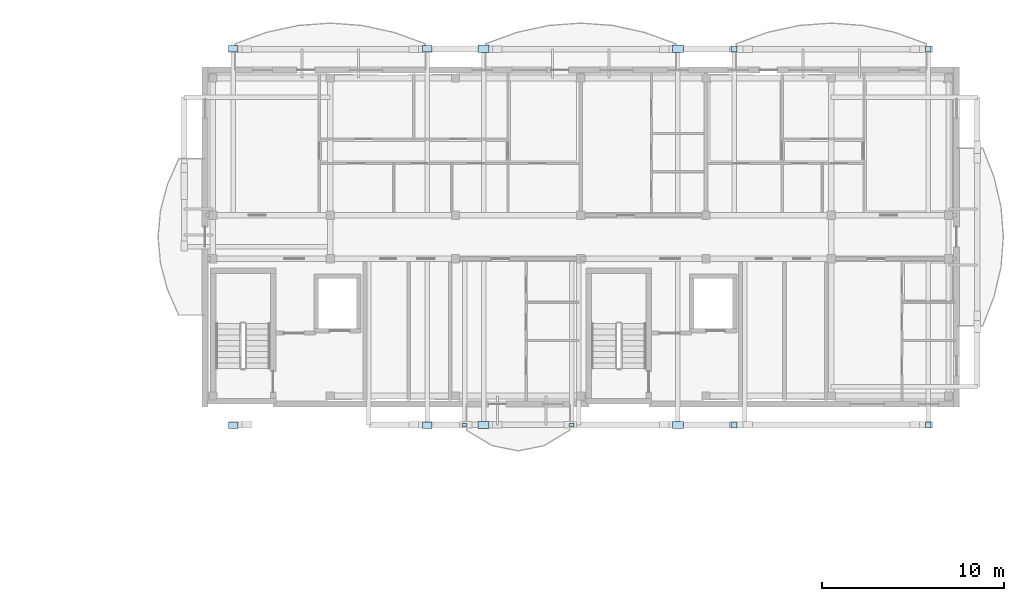
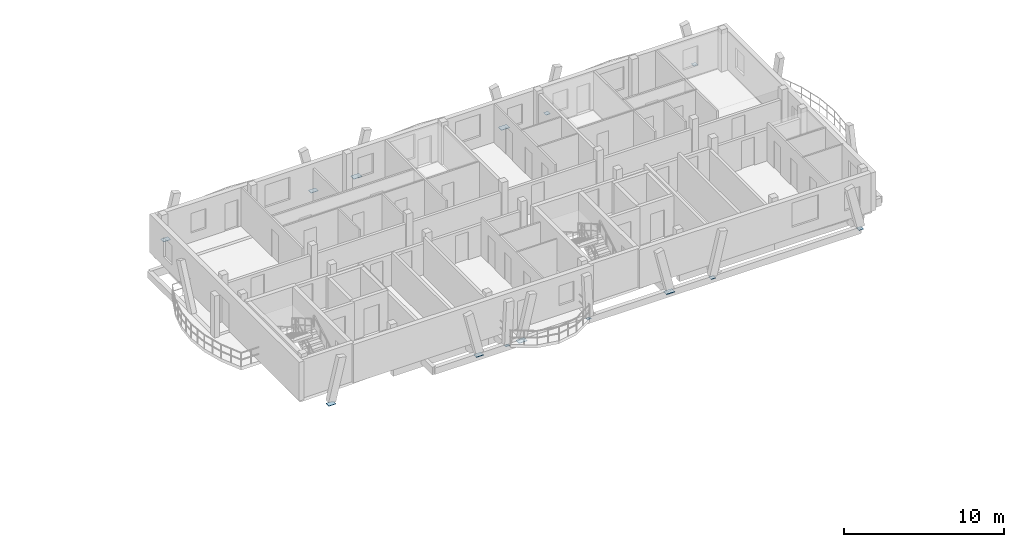
# One storey, part 13 of 42: 14 plates.
"""IFC4 building model written with IfcOpenShell, lengths in metres."""

from ifc_helpers import new_model, si_unit, direction, frame, origin, origin_2d, place, context, subcontext, project, spatial, rectangle, extrude, material, layer, layer_set, type_object, element, save


model = new_model("IFC4")

# Units and contexts
model_context = context("Model", 3, precision=1e-05, world=origin(), true_north=direction((0.0, 1.0)))
body_context = subcontext(model_context, "Body", "Model", "MODEL_VIEW")
ifc_project = project(units=[si_unit("LENGTHUNIT", "METRE"), si_unit("AREAUNIT", "SQUARE_METRE"), si_unit("VOLUMEUNIT", "CUBIC_METRE"), si_unit("PLANEANGLEUNIT", "RADIAN"), si_unit("MASSUNIT", "GRAM", prefix="KILO")], contexts=[model_context])

# Site, building, storey
site_placement = place(None, origin())
site = spatial("IfcSite", under=ifc_project, at=site_placement, CompositionType="ELEMENT")
building_placement = place(site_placement, origin())
building = spatial("IfcBuilding", under=site, at=building_placement, Name="Zavelmont Quarter", CompositionType="ELEMENT")
storey_placement = place(building_placement, frame((0.0, 0.0, 24.0)))
storey = spatial("IfcBuildingStorey", under=building, at=storey_placement, Name="L07", CompositionType="ELEMENT", Elevation=24.0)

# Plates
ifc_material = material(Name="Steel S355", Category="steel")
ifc_layer_1 = layer(ifc_material, 0.02001953125)
ifc_layer_set_1 = layer_set([ifc_layer_1], Name="Steel S355")
plate_type_1 = type_object("IfcPlateType", Name="NP01", PredefinedType="SHEET", material=ifc_layer_set_1)
for number, where, z_axis, x_axis, name in (
    (1, (140.89990234375, 96.43798828125, -0.2099609375), (0.0, 0.0, 1.0), (1.0, 0.0, 0.0), "L07 steel connection plate NP01 at 21/P"),
    (2, (146.800048828125, 96.43798828125, -0.2099609375), (0.0, 0.0, 1.0), (1.0, 0.0, 0.0), "L07 steel connection plate NP01 at 22/P"),
):
    element("IfcPlate", number, at=place(storey_placement, frame(where, z_axis=z_axis, x_axis=x_axis)), inside=storey, type_object=plate_type_1, Name=name, PredefinedType="SHEET", context=body_context, shape_type="SweptSolid", body=[
        extrude(rectangle(XDim=0.280029296875, YDim=0.179931640625, at=origin_2d()), origin(), (0.0, 0.0, 1.0), 0.02001953125),
    ])
ifc_layer_2 = layer(ifc_material, 0.028076171875)
ifc_layer_set_2 = layer_set([ifc_layer_2], Name="Steel S355")
plate_type_2 = type_object("IfcPlateType", Name="NP04", PredefinedType="SHEET", material=ifc_layer_set_2)
for number, where, z_axis, x_axis, name in (
    (3, (128.15087890625, 117.162109375, -0.2138671875), (0.0, 0.0, 1.0), (1.0, 0.0, 0.0), "L07 steel connection plate NP04 at 19/S"),
    (4, (138.84912109375, 117.162109375, -0.2138671875), (0.0, 0.0, 1.0), (1.0, 0.0, 0.0), "L07 steel connection plate NP04 at 21/S"),
    (5, (128.15087890625, 96.43798828125, -0.2138671875), (0.0, 0.0, 1.0), (1.0, 0.0, 0.0), "L07 steel connection plate NP04 at 19/P"),
    (6, (138.84912109375, 96.43798828125, -0.2138671875), (0.0, 0.0, 1.0), (1.0, 0.0, 0.0), "L07 steel connection plate NP04 at 21/P"),
):
    element("IfcPlate", number, at=place(storey_placement, frame(where, z_axis=z_axis, x_axis=x_axis)), inside=storey, type_object=plate_type_2, Name=name, PredefinedType="SHEET", context=body_context, shape_type="SweptSolid", body=[
        extrude(rectangle(XDim=0.52001953125, YDim=0.360107421875, at=origin_2d()), origin(), (0.0, 0.0, 1.0), 0.028076171875),
    ])
ifc_layer_3 = layer(ifc_material, 0.030029296875)
ifc_layer_set_3 = layer_set([ifc_layer_3], Name="Steel S355")
plate_type_3 = type_object("IfcPlateType", Name="NP05", PredefinedType="SHEET", material=ifc_layer_set_3)
for number, where, z_axis, x_axis, name in (
    (7, (141.950927734375, 117.162109375, -0.21484375), (0.0, 0.0, 1.0), (1.0, 0.0, 0.0), "L07 steel connection plate NP05 at 21/S"),
    (8, (152.649169921875, 117.162109375, -0.21484375), (0.0, 0.0, 1.0), (1.0, 0.0, 0.0), "L07 steel connection plate NP05 at 23/S"),
    (9, (141.950927734375, 96.43798828125, -0.21484375), (0.0, 0.0, 1.0), (1.0, 0.0, 0.0), "L07 steel connection plate NP05 at 21/P"),
    (10, (152.649169921875, 96.43798828125, -0.21484375), (0.0, 0.0, 1.0), (1.0, 0.0, 0.0), "L07 steel connection plate NP05 at 23/P"),
):
    element("IfcPlate", number, at=place(storey_placement, frame(where, z_axis=z_axis, x_axis=x_axis)), inside=storey, type_object=plate_type_3, Name=name, PredefinedType="SHEET", context=body_context, shape_type="SweptSolid", body=[
        extrude(rectangle(XDim=0.60009765625, YDim=0.39990234375, at=origin_2d()), origin(), (0.0, 0.0, 1.0), 0.030029296875),
    ])
ifc_layer_4 = layer(ifc_material, 0.02197265625)
ifc_layer_set_4 = layer_set([ifc_layer_4], Name="Steel S355")
plate_type_4 = type_object("IfcPlateType", Name="NP06", PredefinedType="SHEET", material=ifc_layer_set_4)
for number, where, z_axis, x_axis, name in (
    (11, (155.7509765625, 117.162109375, -0.2109375), (0.0, 0.0, 1.0), (1.0, 0.0, 0.0), "L07 steel connection plate NP06 at 23/S"),
    (12, (166.44921875, 117.162109375, -0.2109375), (0.0, 0.0, 1.0), (1.0, 0.0, 0.0), "L07 steel connection plate NP06 at 25/S"),
    (13, (155.7509765625, 96.43798828125, -0.2109375), (0.0, 0.0, 1.0), (1.0, 0.0, 0.0), "L07 steel connection plate NP06 at 23/P"),
    (14, (166.44921875, 96.43798828125, -0.2109375), (0.0, 0.0, 1.0), (1.0, 0.0, 0.0), "L07 steel connection plate NP06 at 25/P"),
):
    element("IfcPlate", number, at=place(storey_placement, frame(where, z_axis=z_axis, x_axis=x_axis)), inside=storey, type_object=plate_type_4, Name=name, PredefinedType="SHEET", context=body_context, shape_type="SweptSolid", body=[
        extrude(rectangle(XDim=0.320068359375, YDim=0.320068359375, at=origin_2d()), origin(), (0.0, 0.0, 1.0), 0.02197265625),
    ])

save(model, "model.ifc")
